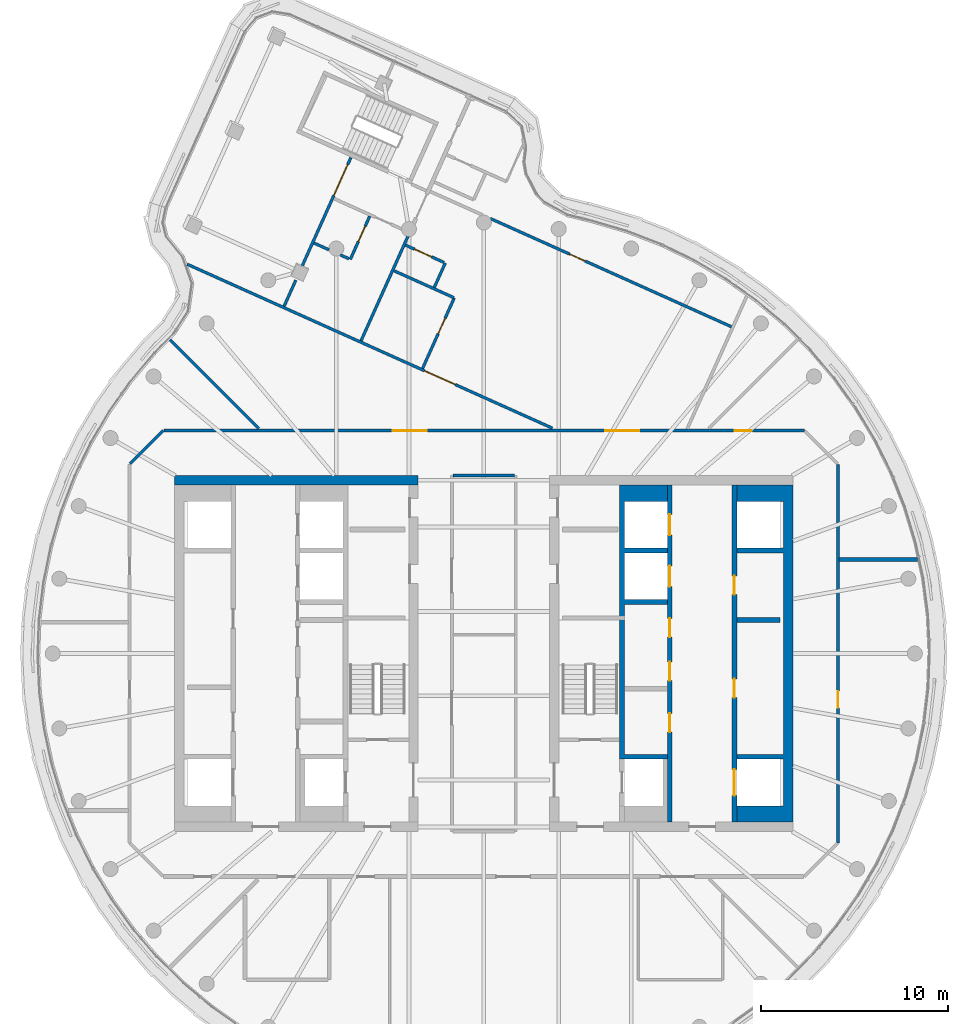
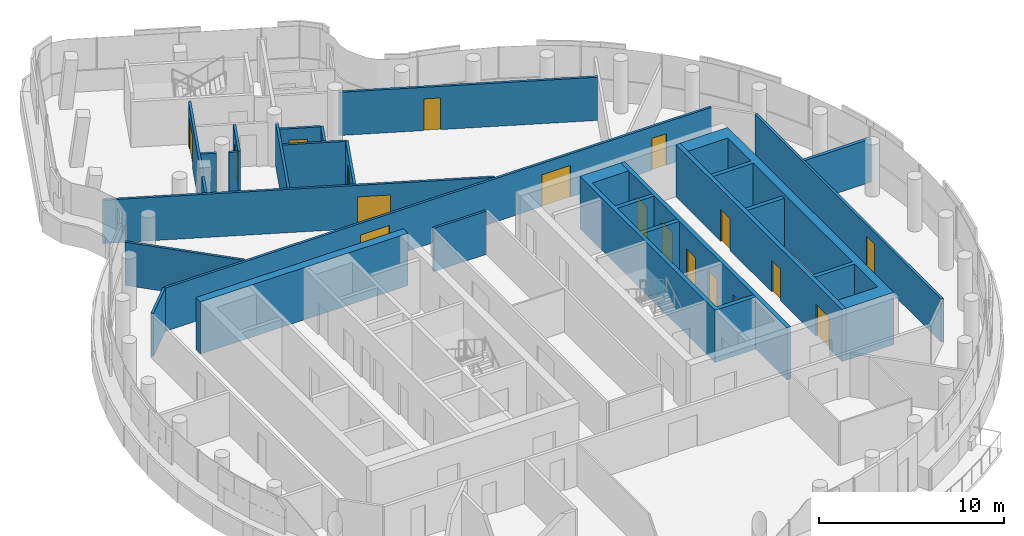
# One storey, part 15 of 21: 24 walls, 18 doors, 18 openings.
"""IFC4 building model written with IfcOpenShell, lengths in metres."""

from ifc_helpers import new_model, si_unit, direction, frame, frame_2d, origin, place, context, subcontext, project, spatial, polyline, rectangle, outline, extrude, material, layer, layer_set, type_object, element, fill, save


model = new_model("IFC4")

# Units and contexts
model_context = context("Model", 3, precision=1e-05, world=origin(), true_north=direction((0.0, 1.0)))
body_context = subcontext(model_context, "Body", "Model", "MODEL_VIEW")
ifc_project = project(units=[si_unit("LENGTHUNIT", "METRE"), si_unit("AREAUNIT", "SQUARE_METRE"), si_unit("VOLUMEUNIT", "CUBIC_METRE"), si_unit("PLANEANGLEUNIT", "RADIAN"), si_unit("MASSUNIT", "GRAM", prefix="KILO")], contexts=[model_context])

# Site, building, storey
site_placement = place(None, origin())
site = spatial("IfcSite", under=ifc_project, at=site_placement, CompositionType="ELEMENT")
building_placement = place(site_placement, origin())
building = spatial("IfcBuilding", under=site, at=building_placement, Name="Tamarind Cross Interchange Tower", CompositionType="ELEMENT")
storey_placement = place(building_placement, frame((0.0, 0.0, 271.199951171875)))
storey = spatial("IfcBuildingStorey", under=building, at=storey_placement, Name="L69", CompositionType="ELEMENT", Elevation=271.199951171875)

# Walls
ifc_material_1 = material(Name="Concrete C50", Category="concrete")
ifc_layer_1 = layer(ifc_material_1, 0.5)
ifc_layer_set_1 = layer_set([ifc_layer_1], Name="Concrete C50")
wall_type_1 = type_object("IfcWallType", Name="Core wall 500 mm Concrete C50", PredefinedType="SHEAR", material=ifc_layer_set_1)
wall_1_placement = place(storey_placement, frame((-16.5, 9.25, 0.0), z_axis=(0.0, 0.0, 1.0), x_axis=(1.0, 0.0, 0.0)))
element("IfcWall", 1, at=wall_1_placement, inside=storey, type_object=wall_type_1, Name="Core wall CWL-L69-W-NE", PredefinedType="SHEAR", context=body_context, shape_type="SweptSolid", body=[
    extrude(rectangle(XDim=13.0, YDim=0.5, at=frame_2d((6.5, 0.0))), origin(), (0.0, 0.0, 1.0), 3.4599609375),
])
wall_2_placement = place(storey_placement, origin())
element("IfcWall", 2, at=wall_2_placement, inside=storey, type_object=wall_type_1, Name="Core wall CWL-L69-E-A", PredefinedType="SHEAR", context=body_context, shape_type="SweptSolid", body=[
    extrude(outline(polyline([(13.5, -8.125), (13.5, -9.0), (16.0, -9.0), (16.5, -9.0), (16.5, 9.0), (16.0, 9.0), (13.5, 9.0), (13.5, 8.125), (16.0, 8.125), (16.0, 5.625), (13.5, 5.625), (13.5, 5.375), (16.0, 5.375), (16.0, -5.375), (13.5, -5.375), (13.5, -5.625), (16.0, -5.625), (16.0, -8.125), (13.5, -8.125)])), origin(), (0.0, 0.0, 1.0), 3.4599609375),
])
ifc_layer_2 = layer(ifc_material_1, 0.25)
ifc_layer_set_2 = layer_set([ifc_layer_2], Name="Concrete C50")
wall_type_2 = type_object("IfcWallType", Name="Core web wall 250 mm Concrete C50", PredefinedType="SHEAR", material=ifc_layer_set_2)
wall_3_placement = place(storey_placement, origin())
element("IfcWall", 3, at=wall_3_placement, inside=storey, type_object=wall_type_2, Name="Core wall CWL-L69-E-BN", PredefinedType="SHEAR", context=body_context, shape_type="SweptSolid", body=[
    extrude(outline(polyline([(9.800048828125, -5.375), (7.5, -5.375), (7.5, 2.625), (9.800048828125, 2.625), (9.800048828125, 2.875), (7.5, 2.875), (7.5, 5.375), (9.800048828125, 5.375), (9.800048828125, 5.625), (7.5, 5.625), (7.5, 8.125), (9.800048828125, 8.125), (9.800048828125, 9.0), (7.5, 9.0), (7.25, 9.0), (7.25, -5.625), (7.5, -5.625), (9.800048828125, -5.625), (9.800048828125, -5.375)])), origin(), (0.0, 0.0, 1.0), 3.4599609375),
])

# Wall, openings, doors
wall_4_placement = place(storey_placement, frame((13.375, -9.0, 0.0), z_axis=(0.0, 0.0, 1.0), x_axis=(0.0, 1.0, 0.0)))
wall_4 = element("IfcWall", 4, at=wall_4_placement, inside=storey, type_object=wall_type_2, Name="Core wall CWL-L69-E-LA", PredefinedType="SHEAR", context=body_context, shape_type="SweptSolid", body=[
    extrude(rectangle(XDim=18.0, YDim=0.25, at=frame_2d((9.0, 0.0))), origin(), (0.0, 0.0, 1.0), 3.4599609375),
])
opening_1_placement = place(wall_4_placement, frame((1.425048828125, 0.0, 0.0)))
opening_1 = element("IfcOpeningElement", 5, at=opening_1_placement, cuts=wall_4, Name="Opening LD13L69", PredefinedType="OPENING", context=body_context, shape_type="SweptSolid", body=[
    extrude(rectangle(XDim=1.39990234375, YDim=2.10009765625, at=frame_2d((0.699951171875, 1.050048828125))), frame((0.0, 0.135009765625, 0.0), z_axis=(0.0, -1.0, 0.0), x_axis=(1.0, 0.0, 0.0)), (0.0, 0.0, 1.0), 0.27001953125),
])
opening_2_placement = place(wall_4_placement, frame((6.64599609375, 0.0, 0.0)))
opening_2 = element("IfcOpeningElement", 6, at=opening_2_placement, cuts=wall_4, Name="Opening DCE9", PredefinedType="OPENING", context=body_context, shape_type="SweptSolid", body=[
    extrude(rectangle(XDim=1.0, YDim=2.10009765625, at=frame_2d((0.5, 1.050048828125))), frame((0.0, 0.135009765625, 0.0), z_axis=(0.0, -1.0, 0.0), x_axis=(1.0, 0.0, 0.0)), (0.0, 0.0, 1.0), 0.27001953125),
])
opening_3_placement = place(wall_4_placement, frame((12.14599609375, 0.0, 0.0)))
opening_3 = element("IfcOpeningElement", 7, at=opening_3_placement, cuts=wall_4, Name="Opening DCE10", PredefinedType="OPENING", context=body_context, shape_type="SweptSolid", body=[
    extrude(rectangle(XDim=1.0, YDim=2.10009765625, at=frame_2d((0.5, 1.050048828125))), frame((0.0, 0.135009765625, 0.0), z_axis=(0.0, -1.0, 0.0), x_axis=(1.0, 0.0, 0.0)), (0.0, 0.0, 1.0), 0.27001953125),
])
ifc_material_2 = material(Name="Steel, fire-resisting", Category="steel")
door_type_1 = type_object("IfcDoorType", Name="Core fire door 1000 x 2100 FD90", OperationType="SINGLE_SWING_LEFT", PredefinedType="DOOR", material=ifc_material_2)
door_1_placement = place(opening_2_placement, origin())
door_1 = element("IfcDoor", 8, at=door_1_placement, inside=storey, type_object=door_type_1, Name="L69 Ice and vending room door", OperationType="SINGLE_SWING_LEFT", OverallHeight=2.10009765625, OverallWidth=1.0, PredefinedType="DOOR", context=body_context, shape_type="SweptSolid", body=[
    extrude(rectangle(XDim=1.0, YDim=2.10009765625, at=frame_2d((0.5, 1.050048828125))), frame((0.0, 0.02490234375, 0.0), z_axis=(0.0, -1.0, 0.0), x_axis=(1.0, 0.0, 0.0)), (0.0, 0.0, 1.0), 0.050048828125),
])
fill(opening_2, door_1)
door_2_placement = place(opening_3_placement, origin())
door_2 = element("IfcDoor", 9, at=door_2_placement, inside=storey, type_object=door_type_1, Name="L69 Guest laundry door", OperationType="SINGLE_SWING_LEFT", OverallHeight=2.10009765625, OverallWidth=1.0, PredefinedType="DOOR", context=body_context, shape_type="SweptSolid", body=[
    extrude(rectangle(XDim=1.0, YDim=2.10009765625, at=frame_2d((0.5, 1.050048828125))), frame((0.0, 0.02490234375, 0.0), z_axis=(0.0, -1.0, 0.0), x_axis=(1.0, 0.0, 0.0)), (0.0, 0.0, 1.0), 0.050048828125),
])
fill(opening_3, door_2)
ifc_material_3 = material(Name="Stainless steel panel", Category="steel")
door_type_2 = type_object("IfcDoorType", Name="Lift landing door 1400 x 2100 E 120", OperationType="SLIDING_TO_LEFT", PredefinedType="DOOR", material=ifc_material_3)
door_3_placement = place(opening_1_placement, origin())
door_3 = element("IfcDoor", 10, at=door_3_placement, inside=storey, type_object=door_type_2, Name="L69 landing door LF13", OperationType="SLIDING_TO_LEFT", OverallHeight=2.10009765625, OverallWidth=1.39990234375, PredefinedType="DOOR", context=body_context, shape_type="SweptSolid", body=[
    extrude(rectangle(XDim=1.39990234375, YDim=2.10009765625, at=frame_2d((0.699951171875, 1.050048828125))), frame((0.0, 0.02490234375, 0.0), z_axis=(0.0, -1.0, 0.0), x_axis=(1.0, 0.0, 0.0)), (0.0, 0.0, 1.0), 0.050048828125),
])
fill(opening_1, door_3)

wall_5_placement = place(storey_placement, frame((9.925048828125, -9.0, 0.0), z_axis=(0.0, 0.0, 1.0), x_axis=(0.0, 1.0, 0.0)))
wall_5 = element("IfcWall", 11, at=wall_5_placement, inside=storey, type_object=wall_type_2, Name="Core wall CWL-L69-E-LB", PredefinedType="SHEAR", context=body_context, shape_type="SweptSolid", body=[
    extrude(rectangle(XDim=18.0, YDim=0.25, at=frame_2d((9.0, 0.0))), origin(), (0.0, 0.0, 1.0), 3.4599609375),
])
opening_4_placement = place(wall_5_placement, frame((12.574951171875, 0.0, 0.0)))
opening_4 = element("IfcOpeningElement", 12, at=opening_4_placement, cuts=wall_5, Name="Opening LD23L69", PredefinedType="OPENING", context=body_context, shape_type="SweptSolid", body=[
    extrude(rectangle(XDim=1.10009765625, YDim=2.10009765625, at=frame_2d((0.550048828125, 1.050048828125))), frame((0.0, 0.135009765625, 0.0), z_axis=(0.0, -1.0, 0.0), x_axis=(1.0, 0.0, 0.0)), (0.0, 0.0, 1.0), 0.27001953125),
])
opening_5_placement = place(wall_5_placement, frame((15.324951171875, 0.0, 0.0)))
opening_5 = element("IfcOpeningElement", 13, at=opening_5_placement, cuts=wall_5, Name="Opening LD24L69", PredefinedType="OPENING", context=body_context, shape_type="SweptSolid", body=[
    extrude(rectangle(XDim=1.10009765625, YDim=2.10009765625, at=frame_2d((0.550048828125, 1.050048828125))), frame((0.0, 0.135009765625, 0.0), z_axis=(0.0, -1.0, 0.0), x_axis=(1.0, 0.0, 0.0)), (0.0, 0.0, 1.0), 0.27001953125),
])
opening_6_placement = place(wall_5_placement, frame((4.8125, 0.0, 0.0)))
opening_6 = element("IfcOpeningElement", 14, at=opening_6_placement, cuts=wall_5, Name="Opening DCE21", PredefinedType="OPENING", context=body_context, shape_type="SweptSolid", body=[
    extrude(rectangle(XDim=1.0, YDim=2.10009765625, at=frame_2d((0.5, 1.050048828125))), frame((0.0, 0.135009765625, 0.0), z_axis=(0.0, -1.0, 0.0), x_axis=(1.0, 0.0, 0.0)), (0.0, 0.0, 1.0), 0.27001953125),
])
opening_7_placement = place(wall_5_placement, frame((7.5625, 0.0, 0.0)))
opening_7 = element("IfcOpeningElement", 15, at=opening_7_placement, cuts=wall_5, Name="Opening DCE22", PredefinedType="OPENING", context=body_context, shape_type="SweptSolid", body=[
    extrude(rectangle(XDim=1.0, YDim=2.10009765625, at=frame_2d((0.5, 1.050048828125))), frame((0.0, 0.135009765625, 0.0), z_axis=(0.0, -1.0, 0.0), x_axis=(1.0, 0.0, 0.0)), (0.0, 0.0, 1.0), 0.27001953125),
])
opening_8_placement = place(wall_5_placement, frame((9.875, 0.0, 0.0)))
opening_8 = element("IfcOpeningElement", 16, at=opening_8_placement, cuts=wall_5, Name="Opening DCE21", PredefinedType="OPENING", context=body_context, shape_type="SweptSolid", body=[
    extrude(rectangle(XDim=1.0, YDim=2.10009765625, at=frame_2d((0.5, 1.050048828125))), frame((0.0, 0.135009765625, 0.0), z_axis=(0.0, -1.0, 0.0), x_axis=(1.0, 0.0, 0.0)), (0.0, 0.0, 1.0), 0.27001953125),
])
door_4_placement = place(opening_6_placement, origin())
door_4 = element("IfcDoor", 17, at=door_4_placement, inside=storey, type_object=door_type_1, Name="L69 Staff changing room door", OperationType="SINGLE_SWING_LEFT", OverallHeight=2.10009765625, OverallWidth=1.0, PredefinedType="DOOR", context=body_context, shape_type="SweptSolid", body=[
    extrude(rectangle(XDim=1.0, YDim=2.10009765625, at=frame_2d((0.5, 1.050048828125))), frame((0.0, 0.02490234375, 0.0), z_axis=(0.0, -1.0, 0.0), x_axis=(1.0, 0.0, 0.0)), (0.0, 0.0, 1.0), 0.050048828125),
])
fill(opening_6, door_4)
door_5_placement = place(opening_7_placement, origin())
door_5 = element("IfcDoor", 18, at=door_5_placement, inside=storey, type_object=door_type_1, Name="L69 Ice and vending room door", OperationType="SINGLE_SWING_LEFT", OverallHeight=2.10009765625, OverallWidth=1.0, PredefinedType="DOOR", context=body_context, shape_type="SweptSolid", body=[
    extrude(rectangle(XDim=1.0, YDim=2.10009765625, at=frame_2d((0.5, 1.050048828125))), frame((0.0, 0.02490234375, 0.0), z_axis=(0.0, -1.0, 0.0), x_axis=(1.0, 0.0, 0.0)), (0.0, 0.0, 1.0), 0.050048828125),
])
fill(opening_7, door_5)
door_6_placement = place(opening_8_placement, origin())
door_6 = element("IfcDoor", 19, at=door_6_placement, inside=storey, type_object=door_type_1, Name="L69 Staff changing room door", OperationType="SINGLE_SWING_LEFT", OverallHeight=2.10009765625, OverallWidth=1.0, PredefinedType="DOOR", context=body_context, shape_type="SweptSolid", body=[
    extrude(rectangle(XDim=1.0, YDim=2.10009765625, at=frame_2d((0.5, 1.050048828125))), frame((0.0, 0.02490234375, 0.0), z_axis=(0.0, -1.0, 0.0), x_axis=(1.0, 0.0, 0.0)), (0.0, 0.0, 1.0), 0.050048828125),
])
fill(opening_8, door_6)
door_type_3 = type_object("IfcDoorType", Name="Lift landing door 1100 x 2100 E 120", OperationType="SLIDING_TO_LEFT", PredefinedType="DOOR", material=ifc_material_3)
door_7_placement = place(opening_4_placement, origin())
door_7 = element("IfcDoor", 20, at=door_7_placement, inside=storey, type_object=door_type_3, Name="L69 landing door LF23", OperationType="SLIDING_TO_LEFT", OverallHeight=2.10009765625, OverallWidth=1.10009765625, PredefinedType="DOOR", context=body_context, shape_type="SweptSolid", body=[
    extrude(rectangle(XDim=1.10009765625, YDim=2.10009765625, at=frame_2d((0.550048828125, 1.050048828125))), frame((0.0, 0.02490234375, 0.0), z_axis=(0.0, -1.0, 0.0), x_axis=(1.0, 0.0, 0.0)), (0.0, 0.0, 1.0), 0.050048828125),
])
fill(opening_4, door_7)
door_8_placement = place(opening_5_placement, origin())
door_8 = element("IfcDoor", 21, at=door_8_placement, inside=storey, type_object=door_type_3, Name="L69 landing door LF24", OperationType="SLIDING_TO_LEFT", OverallHeight=2.10009765625, OverallWidth=1.10009765625, PredefinedType="DOOR", context=body_context, shape_type="SweptSolid", body=[
    extrude(rectangle(XDim=1.10009765625, YDim=2.10009765625, at=frame_2d((0.550048828125, 1.050048828125))), frame((0.0, 0.02490234375, 0.0), z_axis=(0.0, -1.0, 0.0), x_axis=(1.0, 0.0, 0.0)), (0.0, 0.0, 1.0), 0.050048828125),
])
fill(opening_5, door_8)

# Wall
ifc_material_4 = material(Name="Gypsum board partition on steel studs", Category="steel")
ifc_layer_3 = layer(ifc_material_4, 0.14990234375)
ifc_layer_set_3 = layer_set([ifc_layer_3], Name="Gypsum board partition on steel studs")
wall_type_3 = type_object("IfcWallType", Name="Partition 150 mm EI 120", PredefinedType="PARTITIONING", material=ifc_layer_set_3)
wall_6_placement = place(storey_placement, frame((-16.74169921875, 16.74169921875, 0.0), z_axis=(0.0, 0.0, 1.0), x_axis=(0.707106781187, -0.707106781187, 0.0)))
element("IfcWall", 22, at=wall_6_placement, inside=storey, type_object=wall_type_3, Name="Partition L69-002", PredefinedType="PARTITIONING", context=body_context, shape_type="SweptSolid", body=[
    extrude(rectangle(XDim=6.6923828125, YDim=0.14990234375, at=frame_2d((3.34619140625, 0.0))), origin(), (0.0, 0.0, 1.0), 2.864013671875),
])

# Wall, opening, door
wall_7_placement = place(storey_placement, frame((-15.829345703125, 20.775390625, 0.0), z_axis=(0.0, 0.0, 1.0), x_axis=(0.912288876362, -0.409547318469, 0.0)))
wall_7 = element("IfcWall", 23, at=wall_7_placement, inside=storey, type_object=wall_type_3, Name="Partition L69-005", PredefinedType="PARTITIONING", context=body_context, shape_type="SweptSolid", body=[
    extrude(rectangle(XDim=21.3662109375, YDim=0.14990234375, at=frame_2d((10.68310546875, 0.0))), origin(), (0.0, 0.0, 1.0), 2.864013671875),
])
opening_9_placement = place(wall_7_placement, frame((13.88916015625, 0.0, 0.0)))
opening_9 = element("IfcOpeningElement", 24, at=opening_9_placement, cuts=wall_7, Name="Opening D01", PredefinedType="OPENING", context=body_context, shape_type="SweptSolid", body=[
    extrude(rectangle(XDim=1.800048828125, YDim=2.10009765625, at=frame_2d((0.89990234375, 1.050048828125))), frame((0.0, 0.0849609375, 0.0), z_axis=(0.0, -1.0, 0.0), x_axis=(1.0, 0.0, 0.0)), (0.0, 0.0, 1.0), 0.169921875),
])
ifc_material_5 = material(Name="Fire-resisting door set")
door_type_4 = type_object("IfcDoorType", Name="Interior door 1800 x 2100 FD60S", OperationType="DOUBLE_DOOR_SINGLE_SWING", PredefinedType="DOOR", material=ifc_material_5)
door_9_placement = place(opening_9_placement, origin())
door_9 = element("IfcDoor", 25, at=door_9_placement, inside=storey, type_object=door_type_4, Name="Door D01", OperationType="DOUBLE_DOOR_SINGLE_SWING", OverallHeight=2.10009765625, OverallWidth=1.800048828125, PredefinedType="DOOR", context=body_context, shape_type="SweptSolid", body=[
    extrude(rectangle(XDim=1.800048828125, YDim=2.10009765625, at=frame_2d((0.89990234375, 1.050048828125))), frame((0.0, 0.02490234375, 0.0), z_axis=(0.0, -1.0, 0.0), x_axis=(1.0, 0.0, 0.0)), (0.0, 0.0, 1.0), 0.050048828125),
])
fill(opening_9, door_9)

# Walls
wall_8_placement = place(storey_placement, frame((-9.0595703125, 21.90234375, 0.0), z_axis=(0.0, 0.0, 1.0), x_axis=(0.912258944897, -0.409613985913, 0.0)))
element("IfcWall", 26, at=wall_8_placement, inside=storey, type_object=wall_type_3, Name="Partition L69-006", PredefinedType="PARTITIONING", context=body_context, shape_type="SweptSolid", body=[
    extrude(rectangle(XDim=0.879150390625, YDim=0.14990234375, at=frame_2d((0.439453125, 0.0))), origin(), (0.0, 0.0, 1.0), 2.864013671875),
])
wall_9_placement = place(storey_placement, frame((-7.64990234375, 21.269287109375, 0.0), z_axis=(0.0, 0.0, 1.0), x_axis=(0.912409667444, -0.409278143509, 0.0)))
element("IfcWall", 27, at=wall_9_placement, inside=storey, type_object=wall_type_3, Name="Partition L69-007", PredefinedType="PARTITIONING", context=body_context, shape_type="SweptSolid", body=[
    extrude(rectangle(XDim=0.504638671875, YDim=0.14990234375, at=frame_2d((0.25244140625, 0.0))), origin(), (0.0, 0.0, 1.0), 2.864013671875),
])
wall_10_placement = place(storey_placement, frame((-4.79052734375, 20.42431640625, 0.0), z_axis=(0.0, 0.0, 1.0), x_axis=(0.912213220813, -0.409715803667, 0.0)))
element("IfcWall", 28, at=wall_10_placement, inside=storey, type_object=wall_type_3, Name="Partition L69-009", PredefinedType="PARTITIONING", context=body_context, shape_type="SweptSolid", body=[
    extrude(rectangle(XDim=3.5048828125, YDim=0.14990234375, at=frame_2d((1.75244140625, 0.0))), origin(), (0.0, 0.0, 1.0), 2.864013671875),
])

# Wall, opening, door
wall_11_placement = place(storey_placement, frame((-4.176513671875, 21.792236328125, 0.0), z_axis=(0.0, 0.0, 1.0), x_axis=(0.91230675478, -0.409507490998, 0.0)))
wall_11 = element("IfcWall", 29, at=wall_11_placement, inside=storey, type_object=wall_type_3, Name="Partition L69-010", PredefinedType="PARTITIONING", context=body_context, shape_type="SweptSolid", body=[
    extrude(rectangle(XDim=2.25048828125, YDim=0.14990234375, at=frame_2d((1.125244140625, 0.0))), origin(), (0.0, 0.0, 1.0), 2.864013671875),
])
opening_10_placement = place(wall_11_placement, frame((0.52490234375, 0.0, 0.0)))
opening_10 = element("IfcOpeningElement", 30, at=opening_10_placement, cuts=wall_11, Name="Opening D03", PredefinedType="OPENING", context=body_context, shape_type="SweptSolid", body=[
    extrude(rectangle(XDim=1.0, YDim=2.10009765625, at=frame_2d((0.5, 1.050048828125))), frame((0.0, 0.0849609375, 0.0), z_axis=(0.0, -1.0, 0.0), x_axis=(1.0, 0.0, 0.0)), (0.0, 0.0, 1.0), 0.169921875),
])
door_type_5 = type_object("IfcDoorType", Name="Interior door 1000 x 2100 FD60S", OperationType="SINGLE_SWING_LEFT", PredefinedType="DOOR", material=ifc_material_5)
door_10_placement = place(opening_10_placement, frame((1.0, 0.0, 0.0), z_axis=(0.0, 0.0, 1.0), x_axis=(-1.0, 0.0, 0.0)))
door_10 = element("IfcDoor", 31, at=door_10_placement, inside=storey, type_object=door_type_5, Name="Door D03", OperationType="SINGLE_SWING_LEFT", OverallHeight=2.10009765625, OverallWidth=1.0, PredefinedType="DOOR", context=body_context, shape_type="SweptSolid", body=[
    extrude(rectangle(XDim=1.0, YDim=2.10009765625, at=frame_2d((0.5, 1.050048828125))), frame((0.0, 0.02490234375, 0.0), z_axis=(0.0, -1.0, 0.0), x_axis=(1.0, 0.0, 0.0)), (0.0, 0.0, 1.0), 0.050048828125),
])
fill(opening_10, door_10)

wall_12_placement = place(storey_placement, frame((0.344482421875, 23.215576171875, 0.0), z_axis=(0.0, 0.0, 1.0), x_axis=(0.912270853128, -0.409587463838, 0.0)))
wall_12 = element("IfcWall", 32, at=wall_12_placement, inside=storey, type_object=wall_type_3, Name="Partition L69-013", PredefinedType="PARTITIONING", context=body_context, shape_type="SweptSolid", body=[
    extrude(rectangle(XDim=14.10888671875, YDim=0.14990234375, at=frame_2d((7.054443359375, 0.0))), origin(), (0.0, 0.0, 1.0), 2.864013671875),
])
opening_11_placement = place(wall_12_placement, frame((4.64990234375, 0.0, 0.0)))
opening_11 = element("IfcOpeningElement", 33, at=opening_11_placement, cuts=wall_12, Name="Opening D04", PredefinedType="OPENING", context=body_context, shape_type="SweptSolid", body=[
    extrude(rectangle(XDim=0.89990234375, YDim=2.10009765625, at=frame_2d((0.449951171875, 1.050048828125))), frame((0.0, 0.0849609375, 0.0), z_axis=(0.0, -1.0, 0.0), x_axis=(1.0, 0.0, 0.0)), (0.0, 0.0, 1.0), 0.169921875),
])
door_type_6 = type_object("IfcDoorType", Name="Interior door 900 x 2100 FD60S", OperationType="SINGLE_SWING_LEFT", PredefinedType="DOOR", material=ifc_material_5)
door_11_placement = place(opening_11_placement, origin())
door_11 = element("IfcDoor", 34, at=door_11_placement, inside=storey, type_object=door_type_6, Name="Door D04", OperationType="SINGLE_SWING_RIGHT", OverallHeight=2.10009765625, OverallWidth=0.89990234375, PredefinedType="DOOR", context=body_context, shape_type="SweptSolid", body=[
    extrude(rectangle(XDim=0.89990234375, YDim=2.10009765625, at=frame_2d((0.449951171875, 1.050048828125))), frame((0.0, 0.02490234375, 0.0), z_axis=(0.0, -1.0, 0.0), x_axis=(1.0, 0.0, 0.0)), (0.0, 0.0, 1.0), 0.050048828125),
])
fill(opening_11, door_11)

# Wall, openings, doors
wall_13_placement = place(storey_placement, frame((-17.06494140625, 11.89990234375, 0.0), z_axis=(0.0, 0.0, 1.0), x_axis=(1.0, 0.0, 0.0)))
wall_13 = element("IfcWall", 35, at=wall_13_placement, inside=storey, type_object=wall_type_3, Name="Partition L69-019", PredefinedType="PARTITIONING", context=body_context, shape_type="SweptSolid", body=[
    extrude(rectangle(XDim=34.1650390625, YDim=0.14990234375, at=frame_2d((17.08251953125, 0.0))), origin(), (0.0, 0.0, 1.0), 2.864013671875),
])
opening_12_placement = place(wall_13_placement, frame((23.555908203125, 0.0, 0.0)))
opening_12 = element("IfcOpeningElement", 36, at=opening_12_placement, cuts=wall_13, Name="Opening D11", PredefinedType="OPENING", context=body_context, shape_type="SweptSolid", body=[
    extrude(rectangle(XDim=1.800048828125, YDim=2.10009765625, at=frame_2d((0.89990234375, 1.050048828125))), frame((0.0, 0.0849609375, 0.0), z_axis=(0.0, -1.0, 0.0), x_axis=(1.0, 0.0, 0.0)), (0.0, 0.0, 1.0), 0.169921875),
])
opening_13_placement = place(wall_13_placement, frame((30.465087890625, 0.0, 0.0)))
opening_13 = element("IfcOpeningElement", 37, at=opening_13_placement, cuts=wall_13, Name="Opening D12", PredefinedType="OPENING", context=body_context, shape_type="SweptSolid", body=[
    extrude(rectangle(XDim=0.89990234375, YDim=2.10009765625, at=frame_2d((0.449951171875, 1.050048828125))), frame((0.0, 0.0849609375, 0.0), z_axis=(0.0, -1.0, 0.0), x_axis=(1.0, 0.0, 0.0)), (0.0, 0.0, 1.0), 0.169921875),
])
opening_14_placement = place(wall_13_placement, frame((12.215087890625, 0.0, 0.0)))
opening_14 = element("IfcOpeningElement", 38, at=opening_14_placement, cuts=wall_13, Name="Opening D13", PredefinedType="OPENING", context=body_context, shape_type="SweptSolid", body=[
    extrude(rectangle(XDim=1.800048828125, YDim=2.10009765625, at=frame_2d((0.89990234375, 1.050048828125))), frame((0.0, 0.0849609375, 0.0), z_axis=(0.0, -1.0, 0.0), x_axis=(1.0, 0.0, 0.0)), (0.0, 0.0, 1.0), 0.169921875),
])
door_12_placement = place(opening_12_placement, frame((1.800048828125, 0.0, 0.0), z_axis=(0.0, 0.0, 1.0), x_axis=(-1.0, 0.0, 0.0)))
door_12 = element("IfcDoor", 39, at=door_12_placement, inside=storey, type_object=door_type_4, Name="Door D11", OperationType="DOUBLE_DOOR_SINGLE_SWING", OverallHeight=2.10009765625, OverallWidth=1.800048828125, PredefinedType="DOOR", context=body_context, shape_type="SweptSolid", body=[
    extrude(rectangle(XDim=1.800048828125, YDim=2.10009765625, at=frame_2d((0.89990234375, 1.050048828125))), frame((0.0, 0.02490234375, 0.0), z_axis=(0.0, -1.0, 0.0), x_axis=(1.0, 0.0, 0.0)), (0.0, 0.0, 1.0), 0.050048828125),
])
fill(opening_12, door_12)
door_13_placement = place(opening_14_placement, frame((1.800048828125, 0.0, 0.0), z_axis=(0.0, 0.0, 1.0), x_axis=(-1.0, 0.0, 0.0)))
door_13 = element("IfcDoor", 40, at=door_13_placement, inside=storey, type_object=door_type_4, Name="Door D13", OperationType="DOUBLE_DOOR_SINGLE_SWING", OverallHeight=2.10009765625, OverallWidth=1.800048828125, PredefinedType="DOOR", context=body_context, shape_type="SweptSolid", body=[
    extrude(rectangle(XDim=1.800048828125, YDim=2.10009765625, at=frame_2d((0.89990234375, 1.050048828125))), frame((0.0, 0.02490234375, 0.0), z_axis=(0.0, -1.0, 0.0), x_axis=(1.0, 0.0, 0.0)), (0.0, 0.0, 1.0), 0.050048828125),
])
fill(opening_14, door_13)
door_14_placement = place(opening_13_placement, origin())
door_14 = element("IfcDoor", 41, at=door_14_placement, inside=storey, type_object=door_type_6, Name="Door D12", OperationType="SINGLE_SWING_LEFT", OverallHeight=2.10009765625, OverallWidth=0.89990234375, PredefinedType="DOOR", context=body_context, shape_type="SweptSolid", body=[
    extrude(rectangle(XDim=0.89990234375, YDim=2.10009765625, at=frame_2d((0.449951171875, 1.050048828125))), frame((0.0, 0.02490234375, 0.0), z_axis=(0.0, -1.0, 0.0), x_axis=(1.0, 0.0, 0.0)), (0.0, 0.0, 1.0), 0.050048828125),
])
fill(opening_13, door_14)

# Walls
wall_14_placement = place(storey_placement, frame((-1.639892578125, 9.5, 0.0), z_axis=(0.0, 0.0, 1.0), x_axis=(1.0, 0.0, 0.0)))
element("IfcWall", 42, at=wall_14_placement, inside=storey, type_object=wall_type_3, Name="Partition L69-024", PredefinedType="PARTITIONING", context=body_context, shape_type="SweptSolid", body=[
    extrude(rectangle(XDim=3.27978515625, YDim=0.14990234375, at=frame_2d((1.639892578125, 0.0))), origin(), (0.0, 0.0, 1.0), 2.864013671875),
])
wall_15_placement = place(storey_placement, frame((-18.87158203125, 10.12841796875, 0.0), z_axis=(0.0, 0.0, 1.0), x_axis=(0.707106781187, 0.707106781187, 0.0)))
element("IfcWall", 43, at=wall_15_placement, inside=storey, type_object=wall_type_3, Name="Partition L69-026", PredefinedType="PARTITIONING", context=body_context, shape_type="SweptSolid", body=[
    extrude(rectangle(XDim=2.50537109375, YDim=0.14990234375, at=frame_2d((1.252685546875, 0.0))), origin(), (0.0, 0.0, 1.0), 2.864013671875),
])
wall_16_placement = place(storey_placement, frame((-10.654296875, 18.534423828125, 0.0), z_axis=(0.0, 0.0, 1.0), x_axis=(0.409685570303, 0.912226799368, 0.0)))
element("IfcWall", 44, at=wall_16_placement, inside=storey, type_object=wall_type_3, Name="Partition L69-030", PredefinedType="PARTITIONING", context=body_context, shape_type="SweptSolid", body=[
    extrude(rectangle(XDim=1.52490234375, YDim=0.14990234375, at=frame_2d((0.762451171875, 0.0))), origin(), (0.0, 0.0, 1.0), 2.864013671875),
])

# Wall, opening, door
wall_17_placement = place(storey_placement, frame((-9.686279296875, 20.689697265625, 0.0), z_axis=(0.0, 0.0, 1.0), x_axis=(0.409693375843, 0.912223293822, 0.0)))
wall_17 = element("IfcWall", 45, at=wall_17_placement, inside=storey, type_object=wall_type_3, Name="Partition L69-031", PredefinedType="PARTITIONING", context=body_context, shape_type="SweptSolid", body=[
    extrude(rectangle(XDim=6.322021484375, YDim=0.14990234375, at=frame_2d((3.1611328125, 0.0))), origin(), (0.0, 0.0, 1.0), 2.864013671875),
])
opening_15_placement = place(wall_17_placement, frame((4.11328125, 0.0, 0.0)))
opening_15 = element("IfcOpeningElement", 46, at=opening_15_placement, cuts=wall_17, Name="Opening D14", PredefinedType="OPENING", context=body_context, shape_type="SweptSolid", body=[
    extrude(rectangle(XDim=1.800048828125, YDim=2.10009765625, at=frame_2d((0.89990234375, 1.050048828125))), frame((0.0, 0.0849609375, 0.0), z_axis=(0.0, -1.0, 0.0), x_axis=(1.0, 0.0, 0.0)), (0.0, 0.0, 1.0), 0.169921875),
])
door_15_placement = place(opening_15_placement, origin())
door_15 = element("IfcDoor", 47, at=door_15_placement, inside=storey, type_object=door_type_4, Name="Door D14", OperationType="DOUBLE_DOOR_SINGLE_SWING", OverallHeight=2.10009765625, OverallWidth=1.800048828125, PredefinedType="DOOR", context=body_context, shape_type="SweptSolid", body=[
    extrude(rectangle(XDim=1.800048828125, YDim=2.10009765625, at=frame_2d((0.89990234375, 1.050048828125))), frame((0.0, 0.02490234375, 0.0), z_axis=(0.0, -1.0, 0.0), x_axis=(1.0, 0.0, 0.0)), (0.0, 0.0, 1.0), 0.050048828125),
])
fill(opening_15, door_15)

wall_18_placement = place(storey_placement, frame((-7.12109375, 21.031982421875, 0.0), z_axis=(0.0, 0.0, 1.0), x_axis=(0.409624884937, 0.912254051041, 0.0)))
wall_18 = element("IfcWall", 48, at=wall_18_placement, inside=storey, type_object=wall_type_3, Name="Partition L69-033", PredefinedType="PARTITIONING", context=body_context, shape_type="SweptSolid", body=[
    extrude(rectangle(XDim=2.525390625, YDim=0.14990234375, at=frame_2d((1.2626953125, 0.0))), origin(), (0.0, 0.0, 1.0), 2.864013671875),
])
opening_16_placement = place(wall_18_placement, frame((1.050048828125, 0.0, 0.0)))
opening_16 = element("IfcOpeningElement", 49, at=opening_16_placement, cuts=wall_18, Name="Opening D15", PredefinedType="OPENING", context=body_context, shape_type="SweptSolid", body=[
    extrude(rectangle(XDim=0.89990234375, YDim=2.10009765625, at=frame_2d((0.449951171875, 1.050048828125))), frame((0.0, 0.0849609375, 0.0), z_axis=(0.0, -1.0, 0.0), x_axis=(1.0, 0.0, 0.0)), (0.0, 0.0, 1.0), 0.169921875),
])
door_16_placement = place(opening_16_placement, origin())
door_16 = element("IfcDoor", 50, at=door_16_placement, inside=storey, type_object=door_type_6, Name="Door D15", OperationType="SINGLE_SWING_LEFT", OverallHeight=2.10009765625, OverallWidth=0.89990234375, PredefinedType="DOOR", context=body_context, shape_type="SweptSolid", body=[
    extrude(rectangle(XDim=0.89990234375, YDim=2.10009765625, at=frame_2d((0.449951171875, 1.050048828125))), frame((0.0, 0.02490234375, 0.0), z_axis=(0.0, -1.0, 0.0), x_axis=(1.0, 0.0, 0.0)), (0.0, 0.0, 1.0), 0.050048828125),
])
fill(opening_16, door_16)

# Wall
wall_19_placement = place(storey_placement, frame((-6.54833984375, 16.69140625, 0.0), z_axis=(0.0, 0.0, 1.0), x_axis=(0.409506235987, 0.912307318116, 0.0)))
element("IfcWall", 51, at=wall_19_placement, inside=storey, type_object=wall_type_3, Name="Partition L69-034", PredefinedType="PARTITIONING", context=body_context, shape_type="SweptSolid", body=[
    extrude(rectangle(XDim=6.2568359375, YDim=0.14990234375, at=frame_2d((3.12841796875, 0.0))), origin(), (0.0, 0.0, 1.0), 2.864013671875),
])

# Wall, opening, door
wall_20_placement = place(storey_placement, frame((-3.264404296875, 15.21728515625, 0.0), z_axis=(0.0, 0.0, 1.0), x_axis=(0.409606488137, 0.912262311441, 0.0)))
wall_20 = element("IfcWall", 52, at=wall_20_placement, inside=storey, type_object=wall_type_3, Name="Partition L69-036", PredefinedType="PARTITIONING", context=body_context, shape_type="SweptSolid", body=[
    extrude(rectangle(XDim=4.12451171875, YDim=0.14990234375, at=frame_2d((2.062255859375, 0.0))), origin(), (0.0, 0.0, 1.0), 2.864013671875),
])
opening_17_placement = place(wall_20_placement, frame((2.02490234375, 0.0, 0.0)))
opening_17 = element("IfcOpeningElement", 53, at=opening_17_placement, cuts=wall_20, Name="Opening D18", PredefinedType="OPENING", context=body_context, shape_type="SweptSolid", body=[
    extrude(rectangle(XDim=0.89990234375, YDim=2.10009765625, at=frame_2d((0.449951171875, 1.050048828125))), frame((0.0, 0.0849609375, 0.0), z_axis=(0.0, -1.0, 0.0), x_axis=(1.0, 0.0, 0.0)), (0.0, 0.0, 1.0), 0.169921875),
])
door_17_placement = place(opening_17_placement, origin())
door_17 = element("IfcDoor", 54, at=door_17_placement, inside=storey, type_object=door_type_6, Name="Door D18", OperationType="SINGLE_SWING_LEFT", OverallHeight=2.10009765625, OverallWidth=0.89990234375, PredefinedType="DOOR", context=body_context, shape_type="SweptSolid", body=[
    extrude(rectangle(XDim=0.89990234375, YDim=2.10009765625, at=frame_2d((0.449951171875, 1.050048828125))), frame((0.0, 0.02490234375, 0.0), z_axis=(0.0, -1.0, 0.0), x_axis=(1.0, 0.0, 0.0)), (0.0, 0.0, 1.0), 0.050048828125),
])
fill(opening_17, door_17)

# Wall
wall_21_placement = place(storey_placement, frame((-2.63916015625, 19.540283203125, 0.0), z_axis=(0.0, 0.0, 1.0), x_axis=(0.409965725426, 0.912100928612, 0.0)))
element("IfcWall", 55, at=wall_21_placement, inside=storey, type_object=wall_type_3, Name="Partition L69-038", PredefinedType="PARTITIONING", context=body_context, shape_type="SweptSolid", body=[
    extrude(rectangle(XDim=1.425048828125, YDim=0.14990234375, at=frame_2d((0.71240234375, 0.0))), origin(), (0.0, 0.0, 1.0), 2.864013671875),
])

# Wall, opening, door
wall_22_placement = place(storey_placement, frame((18.89990234375, -10.10009765625, 0.0), z_axis=(0.0, 0.0, 1.0), x_axis=(0.0, 1.0, 0.0)))
wall_22 = element("IfcWall", 56, at=wall_22_placement, inside=storey, type_object=wall_type_3, Name="Partition L69-049", PredefinedType="PARTITIONING", context=body_context, shape_type="SweptSolid", body=[
    extrude(rectangle(XDim=20.2001953125, YDim=0.14990234375, at=frame_2d((10.10009765625, 0.0))), origin(), (0.0, 0.0, 1.0), 2.864013671875),
])
opening_18_placement = place(wall_22_placement, frame((7.199951171875, 0.0, 0.0)))
opening_18 = element("IfcOpeningElement", 57, at=opening_18_placement, cuts=wall_22, Name="Opening D24", PredefinedType="OPENING", context=body_context, shape_type="SweptSolid", body=[
    extrude(rectangle(XDim=0.89990234375, YDim=2.10009765625, at=frame_2d((0.449951171875, 1.050048828125))), frame((0.0, 0.0849609375, 0.0), z_axis=(0.0, -1.0, 0.0), x_axis=(1.0, 0.0, 0.0)), (0.0, 0.0, 1.0), 0.169921875),
])
door_18_placement = place(opening_18_placement, frame((0.89990234375, 0.0, 0.0), z_axis=(0.0, 0.0, 1.0), x_axis=(-1.0, 0.0, 0.0)))
door_18 = element("IfcDoor", 58, at=door_18_placement, inside=storey, type_object=door_type_6, Name="Door D24", OperationType="SINGLE_SWING_LEFT", OverallHeight=2.10009765625, OverallWidth=0.89990234375, PredefinedType="DOOR", context=body_context, shape_type="SweptSolid", body=[
    extrude(rectangle(XDim=0.89990234375, YDim=2.10009765625, at=frame_2d((0.449951171875, 1.050048828125))), frame((0.0, 0.02490234375, 0.0), z_axis=(0.0, -1.0, 0.0), x_axis=(1.0, 0.0, 0.0)), (0.0, 0.0, 1.0), 0.050048828125),
])
fill(opening_18, door_18)

# Walls
ifc_layer_4 = layer(ifc_material_4, 0.199951171875)
ifc_layer_set_4 = layer_set([ifc_layer_4], Name="Gypsum board partition on steel studs")
wall_type_4 = type_object("IfcWallType", Name="Partition 200 mm EI 180", PredefinedType="PARTITIONING", material=ifc_layer_set_4)
wall_23_placement = place(storey_placement, frame((18.955078125, 5.02197265625, 0.0), z_axis=(0.0, 0.0, 1.0), x_axis=(1.0, 0.0, 0.0)))
element("IfcWall", 59, at=wall_23_placement, inside=storey, type_object=wall_type_4, Name="Partition L69-025", PredefinedType="PARTITIONING", context=body_context, shape_type="SweptSolid", body=[
    extrude(rectangle(XDim=4.1806640625, YDim=0.199951171875, at=frame_2d((2.09033203125, 0.0))), origin(), (0.0, 0.0, 1.0), 2.864013671875),
])
ifc_material_6 = material(Name="Concrete C40", Category="concrete")
ifc_layer_5 = layer(ifc_material_6, 0.25)
ifc_layer_set_5 = layer_set([ifc_layer_5], Name="Concrete C40")
wall_type_5 = type_object("IfcWallType", Name="Shaft and lobby wall 250 mm Concrete C40", PredefinedType="PARTITIONING", material=ifc_layer_set_5)
wall_24_placement = place(storey_placement, frame((15.800048828125, 1.7919921875, 0.0), z_axis=(0.0, 0.0, 1.0), x_axis=(-1.0, 0.0, 0.0)))
element("IfcWall", 60, at=wall_24_placement, inside=storey, type_object=wall_type_5, Name="Shaft wall CWL-L69-E-FPA1", PredefinedType="PARTITIONING", context=body_context, shape_type="SweptSolid", body=[
    extrude(rectangle(XDim=2.300048828125, YDim=0.25, at=frame_2d((1.14990234375, 0.0))), origin(), (0.0, 0.0, 1.0), 3.4599609375),
])

save(model, "model.ifc")
